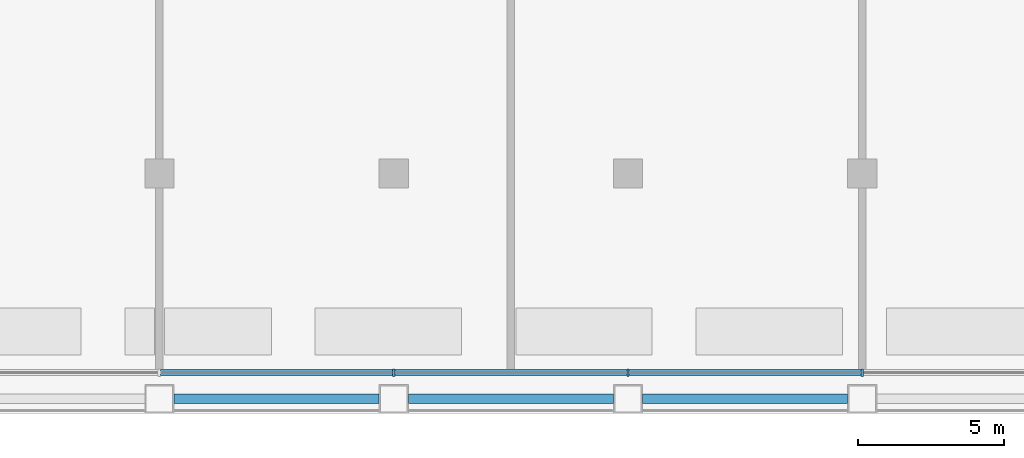
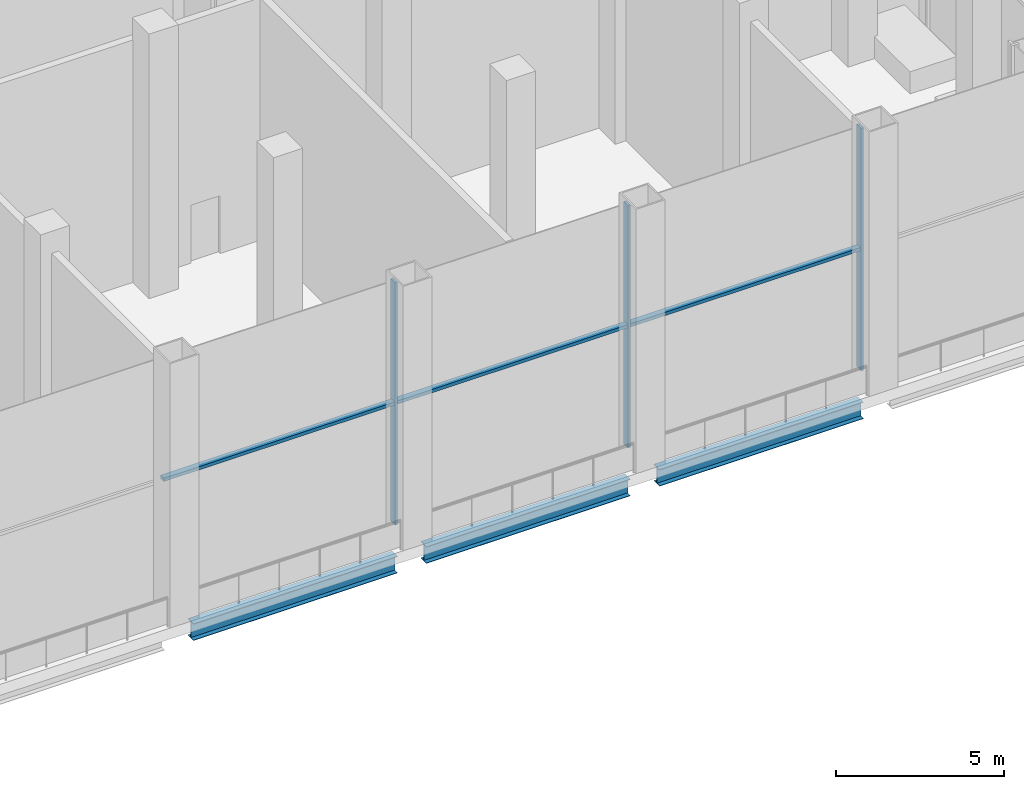
# One storey, part 3 of 16: 6 members, 3 beams, 1 element without a shape of its own.
"""IFC4 building model written with IfcOpenShell, lengths in metres."""

from ifc_helpers import new_model, si_unit, direction, frame, origin, origin_2d, place, context, subcontext, project, spatial, rectangle, i_section, extrude, material, material_profile, profile_set, type_object, element, aggregate, save


model = new_model("IFC4")

# Units and contexts
model_context = context("Model", 3, precision=1e-05, world=origin(), true_north=direction((0.0, 1.0)))
body_context = subcontext(model_context, "Body", "Model", "MODEL_VIEW")
ifc_project = project(units=[si_unit("LENGTHUNIT", "METRE"), si_unit("AREAUNIT", "SQUARE_METRE"), si_unit("VOLUMEUNIT", "CUBIC_METRE"), si_unit("PLANEANGLEUNIT", "RADIAN"), si_unit("MASSUNIT", "GRAM", prefix="KILO")], contexts=[model_context])

# Site, building, storey
site_placement = place(None, origin())
site = spatial("IfcSite", under=ifc_project, at=site_placement, CompositionType="ELEMENT")
building_placement = place(site_placement, origin())
building = spatial("IfcBuilding", under=site, at=building_placement, Name="Vidyagriha Tower", CompositionType="ELEMENT")
storey_placement = place(building_placement, frame((0.0, 0.0, 64.0)))
storey = spatial("IfcBuildingStorey", under=building, at=storey_placement, Name="L17", CompositionType="ELEMENT", Elevation=64.0)

# Beams
ifc_material_1 = material(Name="Steel ASTM A992 Grade 50", Category="steel")
ifc_material_profile_1 = material_profile(ifc_material_1, i_section(OverallWidth=0.32373046875, OverallDepth=0.612060546875, WebThickness=0.0126953125, FlangeThickness=0.01904296875, at=origin_2d()), Name="W24X104")
ifc_profile_set_1 = profile_set([ifc_material_profile_1], Name="Steel ASTM A992 Grade 50")
beam_type = type_object("IfcBeamType", Name="Edge beam W24X104", PredefinedType="SPANDREL", material=ifc_profile_set_1)
for number, where, z_axis, x_axis, name in (
    (1, (2.5, -17.10009765625, -0.7060546875), (1.0, 0.0, 0.0), (0.0, 1.0, 0.0), "st-beam-L17-S06"),
    (2, (10.5, -17.10009765625, -0.7060546875), (1.0, 0.0, 0.0), (0.0, 1.0, 0.0), "st-beam-L17-S07"),
    (3, (18.5, -17.10009765625, -0.7060546875), (1.0, 0.0, 0.0), (0.0, 1.0, 0.0), "st-beam-L17-S08"),
):
    element("IfcBeam", number, at=place(storey_placement, frame(where, z_axis=z_axis, x_axis=x_axis)), inside=storey, type_object=beam_type, Name=name, PredefinedType="SPANDREL", context=body_context, shape_type="SweptSolid", body=[
        extrude(i_section(OverallWidth=0.32373046875, OverallDepth=0.612060546875, WebThickness=0.0126953125, FlangeThickness=0.01904296875, at=origin_2d()), origin(), (0.0, 0.0, 1.0), 7.0),
    ])

# Curtain wall, members
ifc_material_2 = material(Name="Aluminium and glass curtain wall", Category="aluminium")
curtain_wall_type = type_object("IfcCurtainWallType", Name="Winter garden glazing wall", PredefinedType="USERDEFINED", material=ifc_material_2)
curtain_wall_placement = place(storey_placement, origin())
curtain_wall = element("IfcCurtainWall", 4, at=curtain_wall_placement, inside=storey, type_object=curtain_wall_type, Name="CW3 winter garden glazing", ObjectType="STICK GLAZING", PredefinedType="USERDEFINED")
ifc_material_3 = material(Name="Aluminium black anodised", Category="aluminium")
ifc_material_profile_2 = material_profile(ifc_material_3, rectangle(XDim=0.260009765625, YDim=0.080078125, at=origin_2d()), Name="Mullion 80x260 black aluminium")
ifc_profile_set_2 = profile_set([ifc_material_profile_2], Name="Aluminium black anodised")
member_type_1 = type_object("IfcMemberType", Name="Mullion 80x260 black aluminium", PredefinedType="MULLION", material=ifc_profile_set_2)
member_1_placement = place(storey_placement, frame((10.0, -16.199951171875, 0.0), z_axis=(0.0, 0.0, 1.0), x_axis=(0.0, 1.0, 0.0)))
member_1 = element("IfcMember", 5, at=member_1_placement, type_object=member_type_1, Name="CW3 mullion 7", PredefinedType="MULLION", context=body_context, shape_type="SweptSolid", body=[
    extrude(rectangle(XDim=0.260009765625, YDim=0.080078125, at=origin_2d()), origin(), (0.0, 0.0, 1.0), 8.800048828125),
])
member_2_placement = place(storey_placement, frame((18.0, -16.199951171875, 0.0), z_axis=(0.0, 0.0, 1.0), x_axis=(0.0, 1.0, 0.0)))
member_2 = element("IfcMember", 6, at=member_2_placement, type_object=member_type_1, Name="CW3 mullion 8", PredefinedType="MULLION", context=body_context, shape_type="SweptSolid", body=[
    extrude(rectangle(XDim=0.260009765625, YDim=0.080078125, at=origin_2d()), origin(), (0.0, 0.0, 1.0), 8.800048828125),
])
member_3_placement = place(storey_placement, frame((26.0, -16.199951171875, 0.0), z_axis=(0.0, 0.0, 1.0), x_axis=(0.0, 1.0, 0.0)))
member_3 = element("IfcMember", 7, at=member_3_placement, type_object=member_type_1, Name="CW3 mullion 9", PredefinedType="MULLION", context=body_context, shape_type="SweptSolid", body=[
    extrude(rectangle(XDim=0.260009765625, YDim=0.080078125, at=origin_2d()), origin(), (0.0, 0.0, 1.0), 8.800048828125),
])
ifc_material_4 = material(Name="Aluminium black anodised", Category="aluminium")
ifc_material_profile_3 = material_profile(ifc_material_4, rectangle(XDim=0.199951171875, YDim=0.1201171875, at=origin_2d()), Name="Transom 120x200 black aluminium")
ifc_profile_set_3 = profile_set([ifc_material_profile_3], Name="Aluminium black anodised")
member_type_2 = type_object("IfcMemberType", Name="Transom 120x200 black aluminium", PredefinedType="USERDEFINED", material=ifc_profile_set_3)
member_4_placement = place(storey_placement, frame((2.0400390625, -16.199951171875, 4.39990234375), z_axis=(1.0, 0.0, 0.0), x_axis=(0.0, 1.0, 0.0)))
member_4 = element("IfcMember", 8, at=member_4_placement, type_object=member_type_2, Name="CW3 transom 6.1", ObjectType="TRANSOM", PredefinedType="USERDEFINED", context=body_context, shape_type="SweptSolid", body=[
    extrude(rectangle(XDim=0.199951171875, YDim=0.1201171875, at=origin_2d()), origin(), (0.0, 0.0, 1.0), 7.919921875),
])
member_5_placement = place(storey_placement, frame((10.0400390625, -16.199951171875, 4.39990234375), z_axis=(1.0, 0.0, 0.0), x_axis=(0.0, 1.0, 0.0)))
member_5 = element("IfcMember", 9, at=member_5_placement, type_object=member_type_2, Name="CW3 transom 7.1", ObjectType="TRANSOM", PredefinedType="USERDEFINED", context=body_context, shape_type="SweptSolid", body=[
    extrude(rectangle(XDim=0.199951171875, YDim=0.1201171875, at=origin_2d()), origin(), (0.0, 0.0, 1.0), 7.919921875),
])
member_6_placement = place(storey_placement, frame((18.0400390625, -16.199951171875, 4.39990234375), z_axis=(1.0, 0.0, 0.0), x_axis=(0.0, 1.0, 0.0)))
member_6 = element("IfcMember", 10, at=member_6_placement, type_object=member_type_2, Name="CW3 transom 8.1", ObjectType="TRANSOM", PredefinedType="USERDEFINED", context=body_context, shape_type="SweptSolid", body=[
    extrude(rectangle(XDim=0.199951171875, YDim=0.1201171875, at=origin_2d()), origin(), (0.0, 0.0, 1.0), 7.919921875),
])
aggregate(curtain_wall, [member_1, member_2, member_3, member_4, member_5, member_6])

save(model, "model.ifc")
